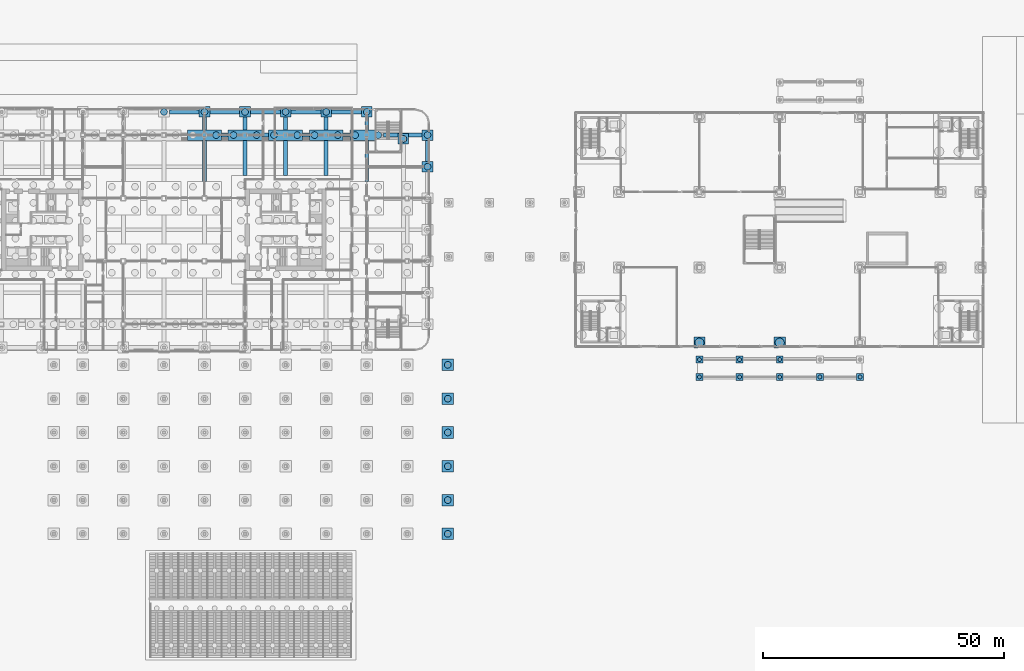
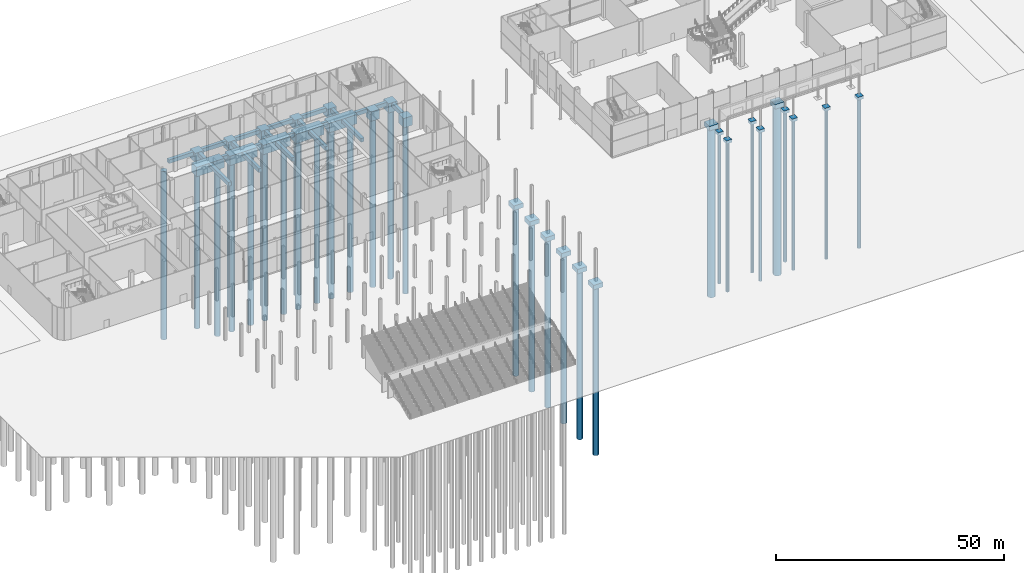
# One storey, part 6 of 113: 50 footings, 34 piles.
"""IFC4 building model written with IfcOpenShell, lengths in metres."""

from ifc_helpers import new_model, si_unit, direction, frame, origin, origin_2d, place, context, subcontext, project, spatial, polyline, circle, outline, extrude, material, layer, layer_set, material_profile, profile_set, type_object, element, save


model = new_model("IFC4")

# Units and contexts
model_context = context("Model", 3, precision=1e-05, world=origin(), true_north=direction((0.0, 1.0)))
body_context = subcontext(model_context, "Body", "Model", "MODEL_VIEW")
ifc_project = project(units=[si_unit("LENGTHUNIT", "METRE"), si_unit("AREAUNIT", "SQUARE_METRE"), si_unit("VOLUMEUNIT", "CUBIC_METRE"), si_unit("PLANEANGLEUNIT", "RADIAN"), si_unit("MASSUNIT", "GRAM", prefix="KILO")], contexts=[model_context])

# Site, building, storey
site_placement = place(None, origin())
site = spatial("IfcSite", under=ifc_project, at=site_placement, CompositionType="ELEMENT")
building_placement = place(site_placement, origin())
building = spatial("IfcBuilding", under=site, at=building_placement, Name="Hakoniwa Tower and Hamabe Station Hall", CompositionType="ELEMENT")
storey_placement = place(building_placement, origin())
storey = spatial("IfcBuildingStorey", under=building, at=storey_placement, Name="L01", CompositionType="ELEMENT", Elevation=0.0)

# Piles
ifc_material_1 = material(Name="Concrete C36", Category="concrete")
ifc_material_profile_1 = material_profile(ifc_material_1, circle(Radius=0.699951171875, at=origin_2d()), Name="BORED PILE D1400")
ifc_profile_set_1 = profile_set([ifc_material_profile_1], Name="Concrete C36")
pile_type_1 = type_object("IfcPileType", Name="BORED PILE D1400", PredefinedType="BORED", material=ifc_profile_set_1)
for number, where, z_axis, x_axis, name in (
    (1, (10.800048828125, 19.60009765625, -2.800048828125), (0.0, 0.0, -1.0), (1.0, 0.0, 0.0), "Pile P-8-G1 2"),
    (2, (14.39990234375, 19.60009765625, -2.800048828125), (0.0, 0.0, -1.0), (1.0, 0.0, 0.0), "Pile P-9-G1 1"),
    (3, (19.199951171875, 19.60009765625, -2.800048828125), (0.0, 0.0, -1.0), (1.0, 0.0, 0.0), "Pile P-9-G1 2"),
    (4, (22.800048828125, 19.60009765625, -2.800048828125), (0.0, 0.0, -1.0), (1.0, 0.0, 0.0), "Pile P-10-G1 1"),
    (5, (27.60009765625, 19.60009765625, -2.800048828125), (0.0, 0.0, -1.0), (1.0, 0.0, 0.0), "Pile P-10-G1 2"),
    (6, (31.199951171875, 19.60009765625, -2.800048828125), (0.0, 0.0, -1.0), (1.0, 0.0, 0.0), "Pile P-11-G1 1"),
    (7, (36.0, 19.60009765625, -2.800048828125), (0.0, 0.0, -1.0), (1.0, 0.0, 0.0), "Pile P-11-G1 2"),
    (8, (39.60009765625, 19.60009765625, -2.800048828125), (0.0, 0.0, -1.0), (1.0, 0.0, 0.0), "Pile P-12-G1 1"),
    (9, (44.39990234375, 19.60009765625, -2.800048828125), (0.0, 0.0, -1.0), (1.0, 0.0, 0.0), "Pile P-12-G1 2"),
    (10, (49.60302734375, 18.802978515625, -2.800048828125), (0.0, 0.0, -1.0), (1.0, 0.0, 0.0), "Pile P-13-G1 1"),
    (11, (0.0, 24.39990234375, -2.800048828125), (0.0, 0.0, -1.0), (1.0, 0.0, 0.0), "Pile P-7-RN 1"),
    (12, (8.39990234375, 24.39990234375, -2.800048828125), (0.0, 0.0, -1.0), (1.0, 0.0, 0.0), "Pile P-8-RN 1"),
    (13, (16.800048828125, 24.39990234375, -2.800048828125), (0.0, 0.0, -1.0), (1.0, 0.0, 0.0), "Pile P-9-RN 1"),
    (14, (25.199951171875, 24.39990234375, -2.800048828125), (0.0, 0.0, -1.0), (1.0, 0.0, 0.0), "Pile P-10-RN 1"),
    (15, (33.60009765625, 24.39990234375, -2.800048828125), (0.0, 0.0, -1.0), (1.0, 0.0, 0.0), "Pile P-11-RN 1"),
    (16, (42.0, 24.39990234375, -2.800048828125), (0.0, 0.0, -1.0), (1.0, 0.0, 0.0), "Pile P-12-RN 1"),
    (17, (54.60009765625, 13.050048828125, -2.800048828125), (0.0, 0.0, -1.0), (1.0, 0.0, 0.0), "Pile P-RE-F1 1"),
    (18, (54.60009765625, 19.60009765625, -2.800048828125), (0.0, 0.0, -1.0), (1.0, 0.0, 0.0), "Pile P-RE-G1 1"),
):
    element("IfcPile", number, at=place(storey_placement, frame(where, z_axis=z_axis, x_axis=x_axis)), inside=storey, type_object=pile_type_1, Name=name, PredefinedType="BORED", context=body_context, shape_type="SweptSolid", body=[
        extrude(circle(Radius=0.699951171875, at=origin_2d()), origin(), (0.0, 0.0, 1.0), 45.0),
    ])
ifc_material_2 = material(Name="Concrete C36", Category="concrete")
ifc_material_profile_2 = material_profile(ifc_material_2, circle(Radius=0.39990234375, at=origin_2d()), Name="CANOPY BORED PILE D800")
ifc_profile_set_2 = profile_set([ifc_material_profile_2], Name="Concrete C36")
pile_type_2 = type_object("IfcPileType", Name="CANOPY BORED PILE D800", PredefinedType="BORED", material=ifc_profile_set_2)
for number, where, z_axis, x_axis, name in (
    (19, (110.909912109375, -26.89990234375, -0.800048828125), (0.0, 0.0, -1.0), (1.0, 0.0, 0.0), "Canopy pile S11"),
    (20, (119.22998046875, -26.89990234375, -0.800048828125), (0.0, 0.0, -1.0), (1.0, 0.0, 0.0), "Canopy pile S12"),
    (21, (127.550048828125, -26.89990234375, -0.800048828125), (0.0, 0.0, -1.0), (1.0, 0.0, 0.0), "Canopy pile S13"),
    (22, (110.909912109375, -30.5, -0.800048828125), (0.0, 0.0, -1.0), (1.0, 0.0, 0.0), "Canopy pile S21"),
    (23, (119.22998046875, -30.5, -0.800048828125), (0.0, 0.0, -1.0), (1.0, 0.0, 0.0), "Canopy pile S22"),
    (24, (127.550048828125, -30.5, -0.800048828125), (0.0, 0.0, -1.0), (1.0, 0.0, 0.0), "Canopy pile S23"),
    (25, (135.8701171875, -30.5, -0.800048828125), (0.0, 0.0, -1.0), (1.0, 0.0, 0.0), "Canopy pile S24"),
    (26, (144.18994140625, -30.5, -0.800048828125), (0.0, 0.0, -1.0), (1.0, 0.0, 0.0), "Canopy pile S25"),
):
    element("IfcPile", number, at=place(storey_placement, frame(where, z_axis=z_axis, x_axis=x_axis)), inside=storey, type_object=pile_type_2, Name=name, PredefinedType="BORED", context=body_context, shape_type="SweptSolid", body=[
        extrude(circle(Radius=0.39990234375, at=origin_2d()), origin(), (0.0, 0.0, 1.0), 40.0),
    ])

# Footings
ifc_material_3 = material(Name="Concrete C36", Category="concrete")
ifc_layer_1 = layer(ifc_material_3, 0.800048828125)
ifc_layer_set_1 = layer_set([ifc_layer_1], Name="CANOPY PILE CAP 1 PILE")
footing_type_1 = type_object("IfcFootingType", Name="CANOPY PILE CAP 1 PILE", PredefinedType="PILE_CAP", material=ifc_layer_set_1)
footing_1_placement = place(storey_placement, frame((0.0, 0.0, -0.800048828125)))
element("IfcFooting", 27, at=footing_1_placement, inside=storey, type_object=footing_type_1, Name="Canopy cap S11", PredefinedType="PILE_CAP", context=body_context, shape_type="SweptSolid", body=[
    extrude(outline(polyline([(110.2099609375, -27.60009765625), (111.610107421875, -27.60009765625), (111.610107421875, -26.199951171875), (110.2099609375, -26.199951171875), (110.2099609375, -27.60009765625)])), origin(), (0.0, 0.0, 1.0), 0.800048828125),
])
footing_2_placement = place(storey_placement, frame((0.0, 0.0, -0.800048828125)))
element("IfcFooting", 28, at=footing_2_placement, inside=storey, type_object=footing_type_1, Name="Canopy cap S12", PredefinedType="PILE_CAP", context=body_context, shape_type="SweptSolid", body=[
    extrude(outline(polyline([(118.530029296875, -27.60009765625), (119.929931640625, -27.60009765625), (119.929931640625, -26.199951171875), (118.530029296875, -26.199951171875), (118.530029296875, -27.60009765625)])), origin(), (0.0, 0.0, 1.0), 0.800048828125),
])
footing_3_placement = place(storey_placement, frame((0.0, 0.0, -0.800048828125)))
element("IfcFooting", 29, at=footing_3_placement, inside=storey, type_object=footing_type_1, Name="Canopy cap S13", PredefinedType="PILE_CAP", context=body_context, shape_type="SweptSolid", body=[
    extrude(outline(polyline([(126.85009765625, -27.60009765625), (128.25, -27.60009765625), (128.25, -26.199951171875), (126.85009765625, -26.199951171875), (126.85009765625, -27.60009765625)])), origin(), (0.0, 0.0, 1.0), 0.800048828125),
])
footing_4_placement = place(storey_placement, frame((0.0, 0.0, -0.800048828125)))
element("IfcFooting", 30, at=footing_4_placement, inside=storey, type_object=footing_type_1, Name="Canopy cap S21", PredefinedType="PILE_CAP", context=body_context, shape_type="SweptSolid", body=[
    extrude(outline(polyline([(110.2099609375, -31.199951171875), (111.610107421875, -31.199951171875), (111.610107421875, -29.800048828125), (110.2099609375, -29.800048828125), (110.2099609375, -31.199951171875)])), origin(), (0.0, 0.0, 1.0), 0.800048828125),
])
footing_5_placement = place(storey_placement, frame((0.0, 0.0, -0.800048828125)))
element("IfcFooting", 31, at=footing_5_placement, inside=storey, type_object=footing_type_1, Name="Canopy cap S22", PredefinedType="PILE_CAP", context=body_context, shape_type="SweptSolid", body=[
    extrude(outline(polyline([(118.530029296875, -31.199951171875), (119.929931640625, -31.199951171875), (119.929931640625, -29.800048828125), (118.530029296875, -29.800048828125), (118.530029296875, -31.199951171875)])), origin(), (0.0, 0.0, 1.0), 0.800048828125),
])
footing_6_placement = place(storey_placement, frame((0.0, 0.0, -0.800048828125)))
element("IfcFooting", 32, at=footing_6_placement, inside=storey, type_object=footing_type_1, Name="Canopy cap S23", PredefinedType="PILE_CAP", context=body_context, shape_type="SweptSolid", body=[
    extrude(outline(polyline([(126.85009765625, -31.199951171875), (128.25, -31.199951171875), (128.25, -29.800048828125), (126.85009765625, -29.800048828125), (126.85009765625, -31.199951171875)])), origin(), (0.0, 0.0, 1.0), 0.800048828125),
])
footing_7_placement = place(storey_placement, frame((0.0, 0.0, -0.800048828125)))
element("IfcFooting", 33, at=footing_7_placement, inside=storey, type_object=footing_type_1, Name="Canopy cap S24", PredefinedType="PILE_CAP", context=body_context, shape_type="SweptSolid", body=[
    extrude(outline(polyline([(135.169921875, -31.199951171875), (136.570068359375, -31.199951171875), (136.570068359375, -29.800048828125), (135.169921875, -29.800048828125), (135.169921875, -31.199951171875)])), origin(), (0.0, 0.0, 1.0), 0.800048828125),
])
footing_8_placement = place(storey_placement, frame((0.0, 0.0, -0.800048828125)))
element("IfcFooting", 34, at=footing_8_placement, inside=storey, type_object=footing_type_1, Name="Canopy cap S25", PredefinedType="PILE_CAP", context=body_context, shape_type="SweptSolid", body=[
    extrude(outline(polyline([(143.489990234375, -31.199951171875), (144.889892578125, -31.199951171875), (144.889892578125, -29.800048828125), (143.489990234375, -29.800048828125), (143.489990234375, -31.199951171875)])), origin(), (0.0, 0.0, 1.0), 0.800048828125),
])

# Piles
ifc_material_4 = material(Name="Concrete C36", Category="concrete")
ifc_material_profile_3 = material_profile(ifc_material_4, circle(Radius=0.699951171875, at=origin_2d()), Name="DECK BORED PILE D1400")
ifc_profile_set_3 = profile_set([ifc_material_profile_3], Name="Concrete C36")
pile_type_3 = type_object("IfcPileType", Name="DECK BORED PILE D1400", PredefinedType="BORED", material=ifc_profile_set_3)
for number, where, z_axis, x_axis, name in (
    (35, (58.800048828125, -63.0, -1.35009765625), (0.0, 0.0, -1.0), (1.0, 0.0, 0.0), "Pile 61"),
    (36, (58.800048828125, -56.0, -1.35009765625), (0.0, 0.0, -1.0), (1.0, 0.0, 0.0), "Pile 62"),
    (37, (58.800048828125, -49.0, -1.35009765625), (0.0, 0.0, -1.0), (1.0, 0.0, 0.0), "Pile 63"),
    (38, (58.800048828125, -42.0, -1.35009765625), (0.0, 0.0, -1.0), (1.0, 0.0, 0.0), "Pile 64"),
    (39, (58.800048828125, -35.0, -1.35009765625), (0.0, 0.0, -1.0), (1.0, 0.0, 0.0), "Pile 65"),
    (40, (58.800048828125, -28.0, -1.35009765625), (0.0, 0.0, -1.0), (1.0, 0.0, 0.0), "Pile 66"),
):
    element("IfcPile", number, at=place(storey_placement, frame(where, z_axis=z_axis, x_axis=x_axis)), inside=storey, type_object=pile_type_3, Name=name, PredefinedType="BORED", context=body_context, shape_type="SweptSolid", body=[
        extrude(circle(Radius=0.699951171875, at=origin_2d()), origin(), (0.0, 0.0, 1.0), 45.0),
    ])

# Footings
ifc_material_5 = material(Name="Concrete C36", Category="concrete")
ifc_layer_2 = layer(ifc_material_5, 1.199951171875)
ifc_layer_set_2 = layer_set([ifc_layer_2], Name="DECK PILE CAP 2400X2400X1200")
footing_type_2 = type_object("IfcFootingType", Name="DECK PILE CAP 2400X2400X1200", PredefinedType="PILE_CAP", material=ifc_layer_set_2)
footing_9_placement = place(storey_placement, frame((0.0, 0.0, -1.35009765625)))
element("IfcFooting", 41, at=footing_9_placement, inside=storey, type_object=footing_type_2, Name="Pile cap 61", PredefinedType="PILE_CAP", context=body_context, shape_type="SweptSolid", body=[
    extrude(outline(polyline([(57.60009765625, -64.199951171875), (60.0, -64.199951171875), (60.0, -61.800048828125), (57.60009765625, -61.800048828125), (57.60009765625, -64.199951171875)])), origin(), (0.0, 0.0, 1.0), 1.2001953125),
])
footing_10_placement = place(storey_placement, frame((0.0, 0.0, -1.35009765625)))
element("IfcFooting", 42, at=footing_10_placement, inside=storey, type_object=footing_type_2, Name="Pile cap 62", PredefinedType="PILE_CAP", context=body_context, shape_type="SweptSolid", body=[
    extrude(outline(polyline([(57.60009765625, -57.199951171875), (60.0, -57.199951171875), (60.0, -54.800048828125), (57.60009765625, -54.800048828125), (57.60009765625, -57.199951171875)])), origin(), (0.0, 0.0, 1.0), 1.2001953125),
])
footing_11_placement = place(storey_placement, frame((0.0, 0.0, -1.35009765625)))
element("IfcFooting", 43, at=footing_11_placement, inside=storey, type_object=footing_type_2, Name="Pile cap 63", PredefinedType="PILE_CAP", context=body_context, shape_type="SweptSolid", body=[
    extrude(outline(polyline([(57.60009765625, -50.199951171875), (60.0, -50.199951171875), (60.0, -47.800048828125), (57.60009765625, -47.800048828125), (57.60009765625, -50.199951171875)])), origin(), (0.0, 0.0, 1.0), 1.2001953125),
])
footing_12_placement = place(storey_placement, frame((0.0, 0.0, -1.35009765625)))
element("IfcFooting", 44, at=footing_12_placement, inside=storey, type_object=footing_type_2, Name="Pile cap 64", PredefinedType="PILE_CAP", context=body_context, shape_type="SweptSolid", body=[
    extrude(outline(polyline([(57.60009765625, -43.199951171875), (60.0, -43.199951171875), (60.0, -40.800048828125), (57.60009765625, -40.800048828125), (57.60009765625, -43.199951171875)])), origin(), (0.0, 0.0, 1.0), 1.2001953125),
])
footing_13_placement = place(storey_placement, frame((0.0, 0.0, -1.35009765625)))
element("IfcFooting", 45, at=footing_13_placement, inside=storey, type_object=footing_type_2, Name="Pile cap 65", PredefinedType="PILE_CAP", context=body_context, shape_type="SweptSolid", body=[
    extrude(outline(polyline([(57.60009765625, -36.199951171875), (60.0, -36.199951171875), (60.0, -33.800048828125), (57.60009765625, -33.800048828125), (57.60009765625, -36.199951171875)])), origin(), (0.0, 0.0, 1.0), 1.2001953125),
])
footing_14_placement = place(storey_placement, frame((0.0, 0.0, -1.35009765625)))
element("IfcFooting", 46, at=footing_14_placement, inside=storey, type_object=footing_type_2, Name="Pile cap 66", PredefinedType="PILE_CAP", context=body_context, shape_type="SweptSolid", body=[
    extrude(outline(polyline([(57.60009765625, -29.199951171875), (60.0, -29.199951171875), (60.0, -26.800048828125), (57.60009765625, -26.800048828125), (57.60009765625, -29.199951171875)])), origin(), (0.0, 0.0, 1.0), 1.2001953125),
])
ifc_material_6 = material(Name="Concrete C36", Category="concrete")
ifc_layer_3 = layer(ifc_material_6, 1.0)
ifc_layer_set_3 = layer_set([ifc_layer_3], Name="GROUND TIE BEAM")
footing_type_3 = type_object("IfcFootingType", Name="GROUND TIE BEAM", PredefinedType="FOOTING_BEAM", material=ifc_layer_set_3)
footing_15_placement = place(storey_placement, frame((0.0, 0.0, -1.300048828125)))
element("IfcFooting", 47, at=footing_15_placement, inside=storey, type_object=footing_type_3, Name="Ground tie P-8-G1 to P-9-G1", PredefinedType="FOOTING_BEAM", context=body_context, shape_type="SweptSolid", body=[
    extrude(outline(polyline([(11.89990234375, 20.0), (11.89990234375, 19.199951171875), (13.300048828125, 19.199951171875), (13.300048828125, 20.0), (11.89990234375, 20.0)])), origin(), (0.0, 0.0, 1.0), 1.0),
])
footing_16_placement = place(storey_placement, frame((0.0, 0.0, -1.300048828125)))
element("IfcFooting", 48, at=footing_16_placement, inside=storey, type_object=footing_type_3, Name="Ground tie P-9-G1 to P-10-G1", PredefinedType="FOOTING_BEAM", context=body_context, shape_type="SweptSolid", body=[
    extrude(outline(polyline([(20.300048828125, 20.0), (20.300048828125, 19.199951171875), (21.699951171875, 19.199951171875), (21.699951171875, 20.0), (20.300048828125, 20.0)])), origin(), (0.0, 0.0, 1.0), 1.0),
])
footing_17_placement = place(storey_placement, frame((0.0, 0.0, -1.300048828125)))
element("IfcFooting", 49, at=footing_17_placement, inside=storey, type_object=footing_type_3, Name="Ground tie P-10-G1 to P-11-G1", PredefinedType="FOOTING_BEAM", context=body_context, shape_type="SweptSolid", body=[
    extrude(outline(polyline([(28.699951171875, 20.0), (28.699951171875, 19.199951171875), (30.10009765625, 19.199951171875), (30.10009765625, 20.0), (28.699951171875, 20.0)])), origin(), (0.0, 0.0, 1.0), 1.0),
])
footing_18_placement = place(storey_placement, frame((0.0, 0.0, -1.300048828125)))
element("IfcFooting", 50, at=footing_18_placement, inside=storey, type_object=footing_type_3, Name="Ground tie P-11-G1 to P-12-G1", PredefinedType="FOOTING_BEAM", context=body_context, shape_type="SweptSolid", body=[
    extrude(outline(polyline([(37.10009765625, 20.0), (37.10009765625, 19.199951171875), (38.5, 19.199951171875), (38.5, 20.0), (37.10009765625, 20.0)])), origin(), (0.0, 0.0, 1.0), 1.0),
])
footing_19_placement = place(storey_placement, frame((0.0, 0.0, -1.300048828125)))
element("IfcFooting", 51, at=footing_19_placement, inside=storey, type_object=footing_type_3, Name="Ground tie P-12-G1 to P-RE-G1", PredefinedType="FOOTING_BEAM", context=body_context, shape_type="SweptSolid", body=[
    extrude(outline(polyline([(50.703125, 19.903076171875), (50.703125, 19.199951171875), (53.5, 19.199951171875), (53.5, 20.0), (45.5, 20.0), (45.5, 19.199951171875), (48.503173828125, 19.199951171875), (48.503173828125, 19.903076171875), (50.703125, 19.903076171875)])), origin(), (0.0, 0.0, 1.0), 1.0),
])
footing_20_placement = place(storey_placement, frame((0.0, 0.0, -1.300048828125)))
element("IfcFooting", 52, at=footing_20_placement, inside=storey, type_object=footing_type_3, Name="Ground tie P-7-RN to P-8-RN", PredefinedType="FOOTING_BEAM", context=body_context, shape_type="SweptSolid", body=[
    extrude(outline(polyline([(1.10009765625, 24.800048828125), (1.10009765625, 24.0), (7.300048828125, 24.0), (7.300048828125, 24.800048828125), (1.10009765625, 24.800048828125)])), origin(), (0.0, 0.0, 1.0), 1.0),
])
footing_21_placement = place(storey_placement, frame((0.0, 0.0, -1.300048828125)))
element("IfcFooting", 53, at=footing_21_placement, inside=storey, type_object=footing_type_3, Name="Ground tie P-8-RN to P-9-RN", PredefinedType="FOOTING_BEAM", context=body_context, shape_type="SweptSolid", body=[
    extrude(outline(polyline([(9.5, 24.800048828125), (9.5, 24.0), (15.699951171875, 24.0), (15.699951171875, 24.800048828125), (9.5, 24.800048828125)])), origin(), (0.0, 0.0, 1.0), 1.0),
])
footing_22_placement = place(storey_placement, frame((0.0, 0.0, -1.300048828125)))
element("IfcFooting", 54, at=footing_22_placement, inside=storey, type_object=footing_type_3, Name="Ground tie P-9-RN to P-10-RN", PredefinedType="FOOTING_BEAM", context=body_context, shape_type="SweptSolid", body=[
    extrude(outline(polyline([(17.89990234375, 24.800048828125), (17.89990234375, 24.0), (24.10009765625, 24.0), (24.10009765625, 24.800048828125), (17.89990234375, 24.800048828125)])), origin(), (0.0, 0.0, 1.0), 1.0),
])
footing_23_placement = place(storey_placement, frame((0.0, 0.0, -1.300048828125)))
element("IfcFooting", 55, at=footing_23_placement, inside=storey, type_object=footing_type_3, Name="Ground tie P-10-RN to P-11-RN", PredefinedType="FOOTING_BEAM", context=body_context, shape_type="SweptSolid", body=[
    extrude(outline(polyline([(26.300048828125, 24.800048828125), (26.300048828125, 24.0), (32.5, 24.0), (32.5, 24.800048828125), (26.300048828125, 24.800048828125)])), origin(), (0.0, 0.0, 1.0), 1.0),
])
footing_24_placement = place(storey_placement, frame((0.0, 0.0, -1.300048828125)))
element("IfcFooting", 56, at=footing_24_placement, inside=storey, type_object=footing_type_3, Name="Ground tie P-11-RN to P-12-RN", PredefinedType="FOOTING_BEAM", context=body_context, shape_type="SweptSolid", body=[
    extrude(outline(polyline([(34.699951171875, 24.800048828125), (34.699951171875, 24.0), (40.89990234375, 24.0), (40.89990234375, 24.800048828125), (34.699951171875, 24.800048828125)])), origin(), (0.0, 0.0, 1.0), 1.0),
])
footing_25_placement = place(storey_placement, frame((0.0, 0.0, -1.300048828125)))
element("IfcFooting", 57, at=footing_25_placement, inside=storey, type_object=footing_type_3, Name="Ground tie P-8-E1 to P-8-G1 1", PredefinedType="FOOTING_BEAM", context=body_context, shape_type="SweptSolid", body=[
    extrude(outline(polyline([(8.0, 18.5), (8.0, 10.0), (8.800048828125, 10.0), (8.800048828125, 18.5), (8.0, 18.5)])), origin(), (0.0, 0.0, 1.0), 1.0),
])
footing_26_placement = place(storey_placement, frame((0.0, 0.0, -1.300048828125)))
element("IfcFooting", 58, at=footing_26_placement, inside=storey, type_object=footing_type_3, Name="Ground tie P-8-G1 to P-8-RN 1", PredefinedType="FOOTING_BEAM", context=body_context, shape_type="SweptSolid", body=[
    extrude(outline(polyline([(8.0, 23.300048828125), (8.0, 20.699951171875), (8.800048828125, 20.699951171875), (8.800048828125, 23.300048828125), (8.0, 23.300048828125)])), origin(), (0.0, 0.0, 1.0), 1.0),
])
footing_27_placement = place(storey_placement, frame((0.0, 0.0, -1.300048828125)))
element("IfcFooting", 59, at=footing_27_placement, inside=storey, type_object=footing_type_3, Name="Ground tie P-9-A1 to P-9-G1 2", PredefinedType="FOOTING_BEAM", context=body_context, shape_type="SweptSolid", body=[
    extrude(outline(polyline([(16.39990234375, 18.5), (16.39990234375, 11.199951171875), (17.199951171875, 11.199951171875), (17.199951171875, 18.5), (16.39990234375, 18.5)])), origin(), (0.0, 0.0, 1.0), 1.0),
])
footing_28_placement = place(storey_placement, frame((0.0, 0.0, -1.300048828125)))
element("IfcFooting", 60, at=footing_28_placement, inside=storey, type_object=footing_type_3, Name="Ground tie P-9-G1 to P-9-RN 1", PredefinedType="FOOTING_BEAM", context=body_context, shape_type="SweptSolid", body=[
    extrude(outline(polyline([(16.39990234375, 23.300048828125), (16.39990234375, 20.699951171875), (17.199951171875, 20.699951171875), (17.199951171875, 23.300048828125), (16.39990234375, 23.300048828125)])), origin(), (0.0, 0.0, 1.0), 1.0),
])
footing_29_placement = place(storey_placement, frame((0.0, 0.0, -1.300048828125)))
element("IfcFooting", 61, at=footing_29_placement, inside=storey, type_object=footing_type_3, Name="Ground tie P-10-A1 to P-10-G1 2", PredefinedType="FOOTING_BEAM", context=body_context, shape_type="SweptSolid", body=[
    extrude(outline(polyline([(24.800048828125, 18.5), (24.800048828125, 11.199951171875), (25.60009765625, 11.199951171875), (25.60009765625, 18.5), (24.800048828125, 18.5)])), origin(), (0.0, 0.0, 1.0), 1.0),
])
footing_30_placement = place(storey_placement, frame((0.0, 0.0, -1.300048828125)))
element("IfcFooting", 62, at=footing_30_placement, inside=storey, type_object=footing_type_3, Name="Ground tie P-10-G1 to P-10-RN 1", PredefinedType="FOOTING_BEAM", context=body_context, shape_type="SweptSolid", body=[
    extrude(outline(polyline([(24.800048828125, 23.300048828125), (24.800048828125, 20.699951171875), (25.60009765625, 20.699951171875), (25.60009765625, 23.300048828125), (24.800048828125, 23.300048828125)])), origin(), (0.0, 0.0, 1.0), 1.0),
])
footing_31_placement = place(storey_placement, frame((0.0, 0.0, -1.300048828125)))
element("IfcFooting", 63, at=footing_31_placement, inside=storey, type_object=footing_type_3, Name="Ground tie P-11-A1 to P-11-G1 2", PredefinedType="FOOTING_BEAM", context=body_context, shape_type="SweptSolid", body=[
    extrude(outline(polyline([(33.199951171875, 18.5), (33.199951171875, 11.199951171875), (34.0, 11.199951171875), (34.0, 18.5), (33.199951171875, 18.5)])), origin(), (0.0, 0.0, 1.0), 1.0),
])
footing_32_placement = place(storey_placement, frame((0.0, 0.0, -1.300048828125)))
element("IfcFooting", 64, at=footing_32_placement, inside=storey, type_object=footing_type_3, Name="Ground tie P-11-G1 to P-11-RN 1", PredefinedType="FOOTING_BEAM", context=body_context, shape_type="SweptSolid", body=[
    extrude(outline(polyline([(33.199951171875, 23.300048828125), (33.199951171875, 20.699951171875), (34.0, 20.699951171875), (34.0, 23.300048828125), (33.199951171875, 23.300048828125)])), origin(), (0.0, 0.0, 1.0), 1.0),
])
footing_33_placement = place(storey_placement, frame((0.0, 0.0, -1.300048828125)))
element("IfcFooting", 65, at=footing_33_placement, inside=storey, type_object=footing_type_3, Name="Ground tie P-12-E1 to P-12-G1 1", PredefinedType="FOOTING_BEAM", context=body_context, shape_type="SweptSolid", body=[
    extrude(outline(polyline([(41.60009765625, 18.5), (41.60009765625, 10.0), (42.39990234375, 10.0), (42.39990234375, 18.5), (41.60009765625, 18.5)])), origin(), (0.0, 0.0, 1.0), 1.0),
])
footing_34_placement = place(storey_placement, frame((0.0, 0.0, -1.300048828125)))
element("IfcFooting", 66, at=footing_34_placement, inside=storey, type_object=footing_type_3, Name="Ground tie P-12-G1 to P-12-RN 1", PredefinedType="FOOTING_BEAM", context=body_context, shape_type="SweptSolid", body=[
    extrude(outline(polyline([(41.60009765625, 23.300048828125), (41.60009765625, 20.699951171875), (42.39990234375, 20.699951171875), (42.39990234375, 23.300048828125), (41.60009765625, 23.300048828125)])), origin(), (0.0, 0.0, 1.0), 1.0),
])
footing_35_placement = place(storey_placement, frame((0.0, 0.0, -1.300048828125)))
element("IfcFooting", 67, at=footing_35_placement, inside=storey, type_object=footing_type_3, Name="Ground tie P-RE-F1 to P-RE-G1 1", PredefinedType="FOOTING_BEAM", context=body_context, shape_type="SweptSolid", body=[
    extrude(outline(polyline([(54.199951171875, 18.5), (54.199951171875, 14.14990234375), (55.0, 14.14990234375), (55.0, 18.5), (54.199951171875, 18.5)])), origin(), (0.0, 0.0, 1.0), 1.0),
])
ifc_material_7 = material(Name="Concrete C36", Category="concrete")
ifc_layer_4 = layer(ifc_material_7, 2.5)
ifc_layer_set_4 = layer_set([ifc_layer_4], Name="PILE CAP 1 PILE")
footing_type_4 = type_object("IfcFootingType", Name="PILE CAP 1 PILE", PredefinedType="PILE_CAP", material=ifc_layer_set_4)
footing_36_placement = place(storey_placement, frame((0.0, 0.0, -2.800048828125)))
element("IfcFooting", 68, at=footing_36_placement, inside=storey, type_object=footing_type_4, Name="Pile cap P-13-G1", PredefinedType="PILE_CAP", context=body_context, shape_type="SweptSolid", body=[
    extrude(outline(polyline([(50.703125, 17.703125), (50.703125, 19.903076171875), (48.503173828125, 19.903076171875), (48.503173828125, 17.703125), (50.703125, 17.703125)])), origin(), (0.0, 0.0, 1.0), 2.5),
])
footing_37_placement = place(storey_placement, frame((0.0, 0.0, -2.800048828125)))
element("IfcFooting", 69, at=footing_37_placement, inside=storey, type_object=footing_type_4, Name="Pile cap P-8-RN", PredefinedType="PILE_CAP", context=body_context, shape_type="SweptSolid", body=[
    extrude(outline(polyline([(9.5, 23.300048828125), (9.5, 25.5), (7.300048828125, 25.5), (7.300048828125, 23.300048828125), (9.5, 23.300048828125)])), origin(), (0.0, 0.0, 1.0), 2.5),
])
footing_38_placement = place(storey_placement, frame((0.0, 0.0, -2.800048828125)))
element("IfcFooting", 70, at=footing_38_placement, inside=storey, type_object=footing_type_4, Name="Pile cap P-9-RN", PredefinedType="PILE_CAP", context=body_context, shape_type="SweptSolid", body=[
    extrude(outline(polyline([(17.89990234375, 23.300048828125), (17.89990234375, 25.5), (15.699951171875, 25.5), (15.699951171875, 23.300048828125), (17.89990234375, 23.300048828125)])), origin(), (0.0, 0.0, 1.0), 2.5),
])
footing_39_placement = place(storey_placement, frame((0.0, 0.0, -2.800048828125)))
element("IfcFooting", 71, at=footing_39_placement, inside=storey, type_object=footing_type_4, Name="Pile cap P-10-RN", PredefinedType="PILE_CAP", context=body_context, shape_type="SweptSolid", body=[
    extrude(outline(polyline([(26.300048828125, 23.300048828125), (26.300048828125, 25.5), (24.10009765625, 25.5), (24.10009765625, 23.300048828125), (26.300048828125, 23.300048828125)])), origin(), (0.0, 0.0, 1.0), 2.5),
])
footing_40_placement = place(storey_placement, frame((0.0, 0.0, -2.800048828125)))
element("IfcFooting", 72, at=footing_40_placement, inside=storey, type_object=footing_type_4, Name="Pile cap P-11-RN", PredefinedType="PILE_CAP", context=body_context, shape_type="SweptSolid", body=[
    extrude(outline(polyline([(34.699951171875, 23.300048828125), (34.699951171875, 25.5), (32.5, 25.5), (32.5, 23.300048828125), (34.699951171875, 23.300048828125)])), origin(), (0.0, 0.0, 1.0), 2.5),
])
footing_41_placement = place(storey_placement, frame((0.0, 0.0, -2.800048828125)))
element("IfcFooting", 73, at=footing_41_placement, inside=storey, type_object=footing_type_4, Name="Pile cap P-12-RN", PredefinedType="PILE_CAP", context=body_context, shape_type="SweptSolid", body=[
    extrude(outline(polyline([(43.10009765625, 23.300048828125), (43.10009765625, 25.5), (40.89990234375, 25.5), (40.89990234375, 23.300048828125), (43.10009765625, 23.300048828125)])), origin(), (0.0, 0.0, 1.0), 2.5),
])
footing_42_placement = place(storey_placement, frame((0.0, 0.0, -2.800048828125)))
element("IfcFooting", 74, at=footing_42_placement, inside=storey, type_object=footing_type_4, Name="Pile cap P-RE-F1", PredefinedType="PILE_CAP", context=body_context, shape_type="SweptSolid", body=[
    extrude(outline(polyline([(55.699951171875, 11.949951171875), (55.699951171875, 14.14990234375), (53.5, 14.14990234375), (53.5, 11.949951171875), (55.699951171875, 11.949951171875)])), origin(), (0.0, 0.0, 1.0), 2.5),
])
footing_43_placement = place(storey_placement, frame((0.0, 0.0, -2.800048828125)))
element("IfcFooting", 75, at=footing_43_placement, inside=storey, type_object=footing_type_4, Name="Pile cap P-RE-G1", PredefinedType="PILE_CAP", context=body_context, shape_type="SweptSolid", body=[
    extrude(outline(polyline([(55.699951171875, 18.5), (55.699951171875, 20.699951171875), (53.5, 20.699951171875), (53.5, 18.5), (55.699951171875, 18.5)])), origin(), (0.0, 0.0, 1.0), 2.5),
])
ifc_material_8 = material(Name="Concrete C36", Category="concrete")
ifc_layer_5 = layer(ifc_material_8, 2.5)
ifc_layer_set_5 = layer_set([ifc_layer_5], Name="PILE CAP 2 PILES")
footing_type_5 = type_object("IfcFootingType", Name="PILE CAP 2 PILES", PredefinedType="PILE_CAP", material=ifc_layer_set_5)
footing_44_placement = place(storey_placement, frame((0.0, 0.0, -2.800048828125)))
element("IfcFooting", 76, at=footing_44_placement, inside=storey, type_object=footing_type_5, Name="Pile cap P-8-G1", PredefinedType="PILE_CAP", context=body_context, shape_type="SweptSolid", body=[
    extrude(outline(polyline([(11.89990234375, 18.5), (11.89990234375, 20.699951171875), (4.89990234375, 20.699951171875), (4.89990234375, 18.5), (11.89990234375, 18.5)])), origin(), (0.0, 0.0, 1.0), 2.5),
])
footing_45_placement = place(storey_placement, frame((0.0, 0.0, -2.800048828125)))
element("IfcFooting", 77, at=footing_45_placement, inside=storey, type_object=footing_type_5, Name="Pile cap P-9-G1", PredefinedType="PILE_CAP", context=body_context, shape_type="SweptSolid", body=[
    extrude(outline(polyline([(20.300048828125, 18.5), (20.300048828125, 20.699951171875), (13.300048828125, 20.699951171875), (13.300048828125, 18.5), (20.300048828125, 18.5)])), origin(), (0.0, 0.0, 1.0), 2.5),
])
footing_46_placement = place(storey_placement, frame((0.0, 0.0, -2.800048828125)))
element("IfcFooting", 78, at=footing_46_placement, inside=storey, type_object=footing_type_5, Name="Pile cap P-10-G1", PredefinedType="PILE_CAP", context=body_context, shape_type="SweptSolid", body=[
    extrude(outline(polyline([(28.699951171875, 18.5), (28.699951171875, 20.699951171875), (21.699951171875, 20.699951171875), (21.699951171875, 18.5), (28.699951171875, 18.5)])), origin(), (0.0, 0.0, 1.0), 2.5),
])
footing_47_placement = place(storey_placement, frame((0.0, 0.0, -2.800048828125)))
element("IfcFooting", 79, at=footing_47_placement, inside=storey, type_object=footing_type_5, Name="Pile cap P-11-G1", PredefinedType="PILE_CAP", context=body_context, shape_type="SweptSolid", body=[
    extrude(outline(polyline([(37.10009765625, 18.5), (37.10009765625, 20.699951171875), (30.10009765625, 20.699951171875), (30.10009765625, 18.5), (37.10009765625, 18.5)])), origin(), (0.0, 0.0, 1.0), 2.5),
])
footing_48_placement = place(storey_placement, frame((0.0, 0.0, -2.800048828125)))
element("IfcFooting", 80, at=footing_48_placement, inside=storey, type_object=footing_type_5, Name="Pile cap P-12-G1", PredefinedType="PILE_CAP", context=body_context, shape_type="SweptSolid", body=[
    extrude(outline(polyline([(45.5, 18.5), (45.5, 20.699951171875), (38.5, 20.699951171875), (38.5, 18.5), (45.5, 18.5)])), origin(), (0.0, 0.0, 1.0), 2.5),
])

# Piles
ifc_material_9 = material(Name="Concrete C36", Category="concrete")
ifc_material_profile_4 = material_profile(ifc_material_9, circle(Radius=0.949951171875, at=origin_2d()), Name="STATION BORED PILE D1900")
ifc_profile_set_4 = profile_set([ifc_material_profile_4], Name="Concrete C36")
pile_type_4 = type_object("IfcPileType", Name="STATION BORED PILE D1900", PredefinedType="BORED", material=ifc_profile_set_4)
for number, where, z_axis, x_axis, name in (
    (81, (110.909912109375, -23.39990234375, -1.199951171875), (0.0, 0.0, -1.0), (1.0, 0.0, 0.0), "Station pile 4-A"),
    (82, (127.550048828125, -23.39990234375, -1.199951171875), (0.0, 0.0, -1.0), (1.0, 0.0, 0.0), "Station pile 6-A"),
):
    element("IfcPile", number, at=place(storey_placement, frame(where, z_axis=z_axis, x_axis=x_axis)), inside=storey, type_object=pile_type_4, Name=name, PredefinedType="BORED", context=body_context, shape_type="SweptSolid", body=[
        extrude(circle(Radius=0.949951171875, at=origin_2d()), origin(), (0.0, 0.0, 1.0), 45.0),
    ])

# Footings
ifc_material_10 = material(Name="Concrete C36", Category="concrete")
ifc_layer_6 = layer(ifc_material_10, 1.199951171875)
ifc_layer_set_6 = layer_set([ifc_layer_6], Name="STATION PILE CAP 1 PILE")
footing_type_6 = type_object("IfcFootingType", Name="STATION PILE CAP 1 PILE", PredefinedType="PILE_CAP", material=ifc_layer_set_6)
footing_49_placement = place(storey_placement, frame((0.0, 0.0, -1.199951171875)))
element("IfcFooting", 83, at=footing_49_placement, inside=storey, type_object=footing_type_6, Name="Pile cap S4A", PredefinedType="PILE_CAP", context=body_context, shape_type="SweptSolid", body=[
    extrude(outline(polyline([(112.06005859375, -24.550048828125), (112.06005859375, -22.25), (109.760009765625, -22.25), (109.760009765625, -24.550048828125), (112.06005859375, -24.550048828125)])), origin(), (0.0, 0.0, 1.0), 1.199951171875),
])
footing_50_placement = place(storey_placement, frame((0.0, 0.0, -1.199951171875)))
element("IfcFooting", 84, at=footing_50_placement, inside=storey, type_object=footing_type_6, Name="Pile cap S6A", PredefinedType="PILE_CAP", context=body_context, shape_type="SweptSolid", body=[
    extrude(outline(polyline([(128.699951171875, -24.550048828125), (128.699951171875, -22.25), (126.39990234375, -22.25), (126.39990234375, -24.550048828125), (128.699951171875, -24.550048828125)])), origin(), (0.0, 0.0, 1.0), 1.199951171875),
])

save(model, "model.ifc")
